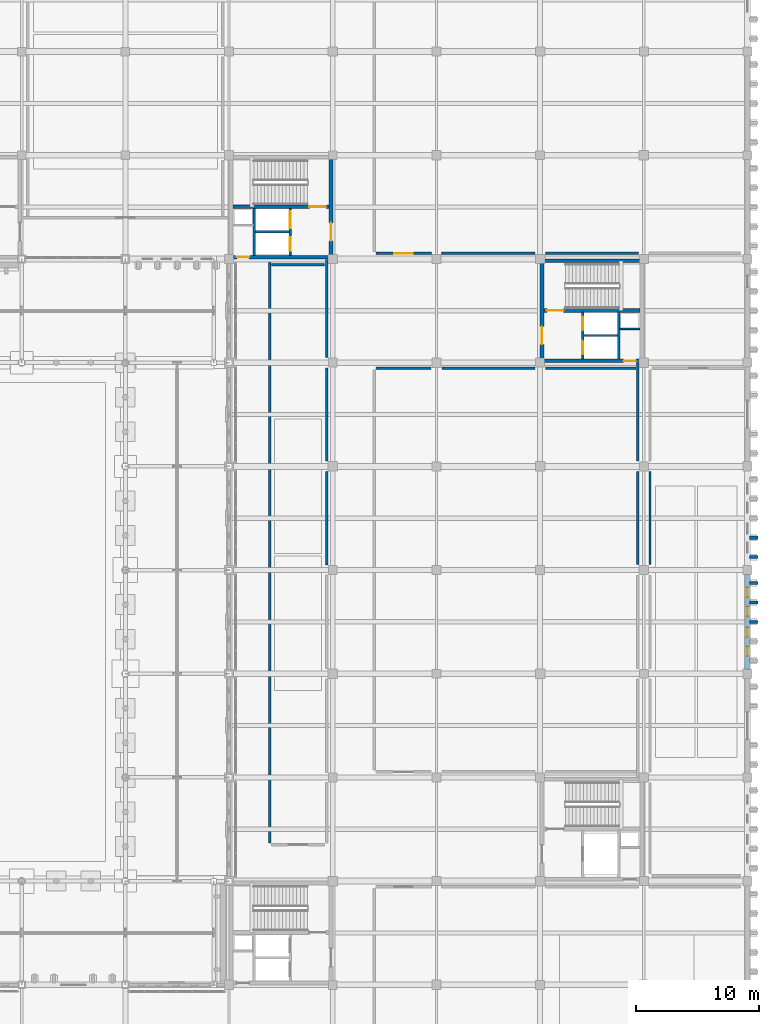
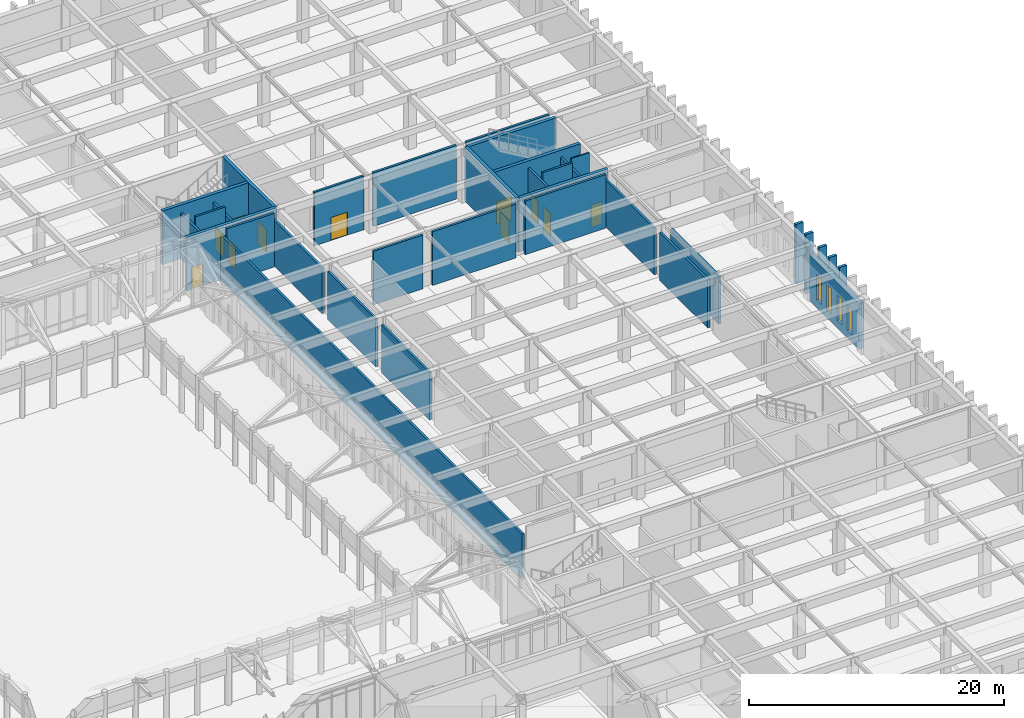
# One storey, part 126 of 143: 34 walls, 11 doors, 4 windows, 15 openings.
"""IFC4 building model written with IfcOpenShell, lengths in metres."""

from ifc_helpers import new_model, si_unit, direction, frame, frame_2d, origin, place, context, subcontext, project, spatial, rectangle, extrude, material, layer, layer_set, type_object, element, fill, save


model = new_model("IFC4")

# Units and contexts
model_context = context("Model", 3, precision=1e-05, world=origin(), true_north=direction((0.0, 1.0)))
body_context = subcontext(model_context, "Body", "Model", "MODEL_VIEW")
ifc_project = project(units=[si_unit("LENGTHUNIT", "METRE"), si_unit("AREAUNIT", "SQUARE_METRE"), si_unit("VOLUMEUNIT", "CUBIC_METRE"), si_unit("PLANEANGLEUNIT", "RADIAN"), si_unit("MASSUNIT", "GRAM", prefix="KILO")], contexts=[model_context])

# Site, building, storey
site_placement = place(None, origin())
site = spatial("IfcSite", under=ifc_project, at=site_placement, CompositionType="ELEMENT")
building_placement = place(site_placement, origin())
building = spatial("IfcBuilding", under=site, at=building_placement, Name="Kveldsbrygga Polytechnic", CompositionType="ELEMENT")
storey_placement = place(building_placement, origin())
storey = spatial("IfcBuildingStorey", under=building, at=storey_placement, Name="L00", CompositionType="ELEMENT", Elevation=0.0)

# Wall, openings, windows
ifc_material_1 = material(Name="Fired clay brick masonry M10", Category="masonry")
ifc_layer_1 = layer(ifc_material_1, 0.419921875)
ifc_layer_set_1 = layer_set([ifc_layer_1], Name="Fired clay brick masonry M10")
wall_type_1 = type_object("IfcWallType", Name="EW-BRICK-420", PredefinedType="SOLIDWALL", material=ifc_layer_set_1)
wall_1_placement = place(storey_placement, frame((168.0, 50.760009765625, 0.0), z_axis=(0.0, 0.0, 1.0), x_axis=(0.0, 1.0, 0.0)))
wall_1 = element("IfcWall", 1, at=wall_1_placement, inside=storey, type_object=wall_type_1, Name="Exterior Brick Wall EW-L00-Y-20-06", PredefinedType="SOLIDWALL", context=body_context, shape_type="SweptSolid", body=[
    extrude(rectangle(XDim=7.695068359375, YDim=0.419921875, at=frame_2d((3.84765625, 0.0))), origin(), (0.0, 0.0, 1.0), 4.389892578125),
])
opening_1_placement = place(wall_1_placement, frame((1.08203125, 0.0, 0.75)))
opening_1 = element("IfcOpeningElement", 2, at=opening_1_placement, cuts=wall_1, Name="Opening W-06", PredefinedType="OPENING", context=body_context, shape_type="SweptSolid", body=[
    extrude(rectangle(XDim=0.760009765625, YDim=2.449951171875, at=frame_2d((0.3798828125, 1.22509765625))), frame((0.0, 0.219970703125, 0.0), z_axis=(0.0, -1.0, 0.0), x_axis=(1.0, 0.0, 0.0)), (0.0, 0.0, 1.0), 0.43994140625),
])
opening_2_placement = place(wall_1_placement, frame((2.62109375, 0.0, 0.75)))
opening_2 = element("IfcOpeningElement", 3, at=opening_2_placement, cuts=wall_1, Name="Opening W-06", PredefinedType="OPENING", context=body_context, shape_type="SweptSolid", body=[
    extrude(rectangle(XDim=0.760009765625, YDim=2.449951171875, at=frame_2d((0.3798828125, 1.22509765625))), frame((0.0, 0.219970703125, 0.0), z_axis=(0.0, -1.0, 0.0), x_axis=(1.0, 0.0, 0.0)), (0.0, 0.0, 1.0), 0.43994140625),
])
opening_3_placement = place(wall_1_placement, frame((4.31396484375, 0.0, 0.75)))
opening_3 = element("IfcOpeningElement", 4, at=opening_3_placement, cuts=wall_1, Name="Opening W-06", PredefinedType="OPENING", context=body_context, shape_type="SweptSolid", body=[
    extrude(rectangle(XDim=0.760009765625, YDim=2.449951171875, at=frame_2d((0.3798828125, 1.22509765625))), frame((0.0, 0.219970703125, 0.0), z_axis=(0.0, -1.0, 0.0), x_axis=(1.0, 0.0, 0.0)), (0.0, 0.0, 1.0), 0.43994140625),
])
opening_4_placement = place(wall_1_placement, frame((5.85302734375, 0.0, 0.75)))
opening_4 = element("IfcOpeningElement", 5, at=opening_4_placement, cuts=wall_1, Name="Opening W-06", PredefinedType="OPENING", context=body_context, shape_type="SweptSolid", body=[
    extrude(rectangle(XDim=0.760009765625, YDim=2.449951171875, at=frame_2d((0.3798828125, 1.22509765625))), frame((0.0, 0.219970703125, 0.0), z_axis=(0.0, -1.0, 0.0), x_axis=(1.0, 0.0, 0.0)), (0.0, 0.0, 1.0), 0.43994140625),
])
ifc_material_2 = material(Name="Insulated triple low-E glass", Category="glass")
window_type = type_object("IfcWindowType", Name="WN-LANC-076x245", PartitioningType="DOUBLE_PANEL_VERTICAL", PredefinedType="WINDOW", material=ifc_material_2)
window_1_placement = place(opening_1_placement, origin())
window_1 = element("IfcWindow", 6, at=window_1_placement, inside=storey, type_object=window_type, Name="Gothic Lancet Window WIN-L00-Y-20-06-1", OverallHeight=2.449951171875, OverallWidth=0.760009765625, PartitioningType="DOUBLE_PANEL_VERTICAL", PredefinedType="WINDOW", context=body_context, shape_type="SweptSolid", body=[
    extrude(rectangle(XDim=0.760009765625, YDim=2.449951171875, at=frame_2d((0.3798828125, 1.22509765625))), frame((0.0, 0.030029296875, 0.0), z_axis=(0.0, -1.0, 0.0), x_axis=(1.0, 0.0, 0.0)), (0.0, 0.0, 1.0), 0.06005859375),
])
fill(opening_1, window_1)
window_2_placement = place(opening_2_placement, origin())
window_2 = element("IfcWindow", 7, at=window_2_placement, inside=storey, type_object=window_type, Name="Gothic Lancet Window WIN-L00-Y-20-06-2", OverallHeight=2.449951171875, OverallWidth=0.760009765625, PartitioningType="DOUBLE_PANEL_VERTICAL", PredefinedType="WINDOW", context=body_context, shape_type="SweptSolid", body=[
    extrude(rectangle(XDim=0.760009765625, YDim=2.449951171875, at=frame_2d((0.3798828125, 1.22509765625))), frame((0.0, 0.030029296875, 0.0), z_axis=(0.0, -1.0, 0.0), x_axis=(1.0, 0.0, 0.0)), (0.0, 0.0, 1.0), 0.06005859375),
])
fill(opening_2, window_2)
window_3_placement = place(opening_3_placement, origin())
window_3 = element("IfcWindow", 8, at=window_3_placement, inside=storey, type_object=window_type, Name="Gothic Lancet Window WIN-L00-Y-20-06-3", OverallHeight=2.449951171875, OverallWidth=0.760009765625, PartitioningType="DOUBLE_PANEL_VERTICAL", PredefinedType="WINDOW", context=body_context, shape_type="SweptSolid", body=[
    extrude(rectangle(XDim=0.760009765625, YDim=2.449951171875, at=frame_2d((0.3798828125, 1.22509765625))), frame((0.0, 0.030029296875, 0.0), z_axis=(0.0, -1.0, 0.0), x_axis=(1.0, 0.0, 0.0)), (0.0, 0.0, 1.0), 0.06005859375),
])
fill(opening_3, window_3)
window_4_placement = place(opening_4_placement, origin())
window_4 = element("IfcWindow", 9, at=window_4_placement, inside=storey, type_object=window_type, Name="Gothic Lancet Window WIN-L00-Y-20-06-4", OverallHeight=2.449951171875, OverallWidth=0.760009765625, PartitioningType="DOUBLE_PANEL_VERTICAL", PredefinedType="WINDOW", context=body_context, shape_type="SweptSolid", body=[
    extrude(rectangle(XDim=0.760009765625, YDim=2.449951171875, at=frame_2d((0.3798828125, 1.22509765625))), frame((0.0, 0.030029296875, 0.0), z_axis=(0.0, -1.0, 0.0), x_axis=(1.0, 0.0, 0.0)), (0.0, 0.0, 1.0), 0.06005859375),
])
fill(opening_4, window_4)

# Walls
ifc_layer_2 = layer(ifc_material_1, 0.260009765625)
ifc_layer_set_2 = layer_set([ifc_layer_2], Name="Fired clay brick masonry M10")
wall_type_2 = type_object("IfcWallType", Name="EW-BUTT-260", PredefinedType="SOLIDWALL", material=ifc_layer_set_2)
for number, where, z_axis, x_axis, name in (
    (10, (168.1650390625, 54.60009765625, -0.25), (0.0, 0.0, 1.0), (1.0, 0.0, 0.0), "Gothic Brick Buttress Pier BUTT-L00-Y-20-06-3"),
    (11, (168.1650390625, 56.179931640625, -0.25), (0.0, 0.0, 1.0), (1.0, 0.0, 0.0), "Gothic Brick Buttress Pier BUTT-L00-Y-20-06-4"),
    (12, (168.1650390625, 57.75, -0.25), (0.0, 0.0, 1.0), (1.0, 0.0, 0.0), "Gothic Brick Buttress Pier BUTT-L00-Y-20-06-5"),
    (13, (168.1650390625, 59.85009765625, -0.25), (0.0, 0.0, 1.0), (1.0, 0.0, 0.0), "Gothic Brick Buttress Pier BUTT-L00-Y-20-07-1"),
    (14, (168.1650390625, 61.419921875, -0.25), (0.0, 0.0, 1.0), (1.0, 0.0, 0.0), "Gothic Brick Buttress Pier BUTT-L00-Y-20-07-2"),
):
    element("IfcWall", number, at=place(storey_placement, frame(where, z_axis=z_axis, x_axis=x_axis)), inside=storey, type_object=wall_type_2, Name=name, PredefinedType="SOLIDWALL", context=body_context, shape_type="SweptSolid", body=[
        extrude(rectangle(XDim=0.699951171875, YDim=0.260009765625, at=frame_2d((0.35009765625, 0.0))), origin(), (0.0, 0.0, 1.0), 5.68994140625),
    ])
ifc_layer_3 = layer(ifc_material_1, 0.199951171875)
ifc_layer_set_3 = layer_set([ifc_layer_3], Name="Fired clay brick masonry M10")
wall_type_3 = type_object("IfcWallType", Name="IW-LAB-200", PredefinedType="PARTITIONING", material=ifc_layer_set_3)
wall_2_placement = place(storey_placement, frame((137.89990234375, 75.14990234375, 0.0), z_axis=(0.0, 0.0, 1.0), x_axis=(1.0, 0.0, 0.0)))
element("IfcWall", 15, at=wall_2_placement, inside=storey, type_object=wall_type_3, Name="Partition Wall IW-SP-L00-LAB2A-N1", PredefinedType="PARTITIONING", context=body_context, shape_type="SweptSolid", body=[
    extrude(rectangle(XDim=4.465087890625, YDim=0.199951171875, at=frame_2d((2.232421875, 0.0))), origin(), (0.0, 0.0, 1.0), 5.139892578125),
])
wall_3_placement = place(storey_placement, frame((143.235107421875, 75.14990234375, 0.0), z_axis=(0.0, 0.0, 1.0), x_axis=(1.0, 0.0, 0.0)))
element("IfcWall", 16, at=wall_3_placement, inside=storey, type_object=wall_type_3, Name="Partition Wall IW-SP-L00-LAB2A-N2", PredefinedType="PARTITIONING", context=body_context, shape_type="SweptSolid", body=[
    extrude(rectangle(XDim=7.544921875, YDim=0.199951171875, at=frame_2d((3.7724609375, 0.0))), origin(), (0.0, 0.0, 1.0), 5.139892578125),
])
wall_4_placement = place(storey_placement, frame((151.6201171875, 75.14990234375, 0.0), z_axis=(0.0, 0.0, 1.0), x_axis=(1.0, 0.0, 0.0)))
element("IfcWall", 17, at=wall_4_placement, inside=storey, type_object=wall_type_3, Name="Partition Wall IW-SP-L00-LAB2A-N3", PredefinedType="PARTITIONING", context=body_context, shape_type="SweptSolid", body=[
    extrude(rectangle(XDim=7.329833984375, YDim=0.199951171875, at=frame_2d((3.6650390625, 0.0))), origin(), (0.0, 0.0, 1.0), 5.139892578125),
])
wall_5_placement = place(storey_placement, frame((159.10009765625, 59.235107421875, 0.0), z_axis=(0.0, 0.0, 1.0), x_axis=(0.0, 1.0, 0.0)))
element("IfcWall", 18, at=wall_5_placement, inside=storey, type_object=wall_type_3, Name="Partition Wall IW-SP-L00-LAB2A-E3", PredefinedType="PARTITIONING", context=body_context, shape_type="SweptSolid", body=[
    extrude(rectangle(XDim=7.544921875, YDim=0.199951171875, at=frame_2d((3.7724609375, 0.0))), origin(), (0.0, 0.0, 1.0), 4.580078125),
])
wall_6_placement = place(storey_placement, frame((159.10009765625, 67.6201171875, 0.0), z_axis=(0.0, 0.0, 1.0), x_axis=(0.0, 1.0, 0.0)))
element("IfcWall", 19, at=wall_6_placement, inside=storey, type_object=wall_type_3, Name="Partition Wall IW-SP-L00-LAB2A-E4", PredefinedType="PARTITIONING", context=body_context, shape_type="SweptSolid", body=[
    extrude(rectangle(XDim=7.949951171875, YDim=0.199951171875, at=frame_2d((3.97509765625, 0.0))), origin(), (0.0, 0.0, 1.0), 4.4599609375),
])
wall_7_placement = place(storey_placement, frame((160.10009765625, 59.235107421875, 0.0), z_axis=(0.0, 0.0, 1.0), x_axis=(0.0, 1.0, 0.0)))
element("IfcWall", 20, at=wall_7_placement, inside=storey, type_object=wall_type_3, Name="Partition Wall IW-SP-L00-LAB2-W4", PredefinedType="PARTITIONING", context=body_context, shape_type="SweptSolid", body=[
    extrude(rectangle(XDim=7.544921875, YDim=0.199951171875, at=frame_2d((3.7724609375, 0.0))), origin(), (0.0, 0.0, 1.0), 4.590087890625),
])
wall_8_placement = place(storey_placement, frame((129.449951171875, 83.550048828125, 0.0), z_axis=(0.0, 0.0, 1.0), x_axis=(1.0, 0.0, 0.0)))
element("IfcWall", 21, at=wall_8_placement, inside=storey, type_object=wall_type_3, Name="Partition Wall IW-SP-L00-LAB3-N1", PredefinedType="PARTITIONING", context=body_context, shape_type="SweptSolid", body=[
    extrude(rectangle(XDim=4.300048828125, YDim=0.199951171875, at=frame_2d((2.14990234375, 0.0))), origin(), (0.0, 0.0, 1.0), 5.139892578125),
])
wall_9_placement = place(storey_placement, frame((129.300048828125, 36.699951171875, 0.0), z_axis=(0.0, 0.0, 1.0), x_axis=(0.0, 1.0, 0.0)))
element("IfcWall", 22, at=wall_9_placement, inside=storey, type_object=wall_type_3, Name="Partition Wall IW-SP-L00-LAB3-W1", PredefinedType="PARTITIONING", context=body_context, shape_type="SweptSolid", body=[
    extrude(rectangle(XDim=47.27001953125, YDim=0.199951171875, at=frame_2d((23.635009765625, 0.0))), origin(), (0.0, 0.0, 1.0), 4.360107421875),
])
wall_10_placement = place(storey_placement, frame((133.89990234375, 59.219970703125, 0.0), z_axis=(0.0, 0.0, 1.0), x_axis=(0.0, 1.0, 0.0)))
element("IfcWall", 23, at=wall_10_placement, inside=storey, type_object=wall_type_3, Name="Partition Wall IW-SP-L00-LAB3-E4", PredefinedType="PARTITIONING", context=body_context, shape_type="SweptSolid", body=[
    extrude(rectangle(XDim=7.544921875, YDim=0.199951171875, at=frame_2d((3.7724609375, 0.0))), origin(), (0.0, 0.0, 1.0), 4.590087890625),
])
wall_11_placement = place(storey_placement, frame((133.89990234375, 67.635009765625, 0.0), z_axis=(0.0, 0.0, 1.0), x_axis=(0.0, 1.0, 0.0)))
element("IfcWall", 24, at=wall_11_placement, inside=storey, type_object=wall_type_3, Name="Partition Wall IW-SP-L00-LAB3-E5", PredefinedType="PARTITIONING", context=body_context, shape_type="SweptSolid", body=[
    extrude(rectangle(XDim=7.544921875, YDim=0.199951171875, at=frame_2d((3.7724609375, 0.0))), origin(), (0.0, 0.0, 1.0), 4.580078125),
])
wall_12_placement = place(storey_placement, frame((133.89990234375, 76.02001953125, 0.0), z_axis=(0.0, 0.0, 1.0), x_axis=(0.0, 1.0, 0.0)))
element("IfcWall", 25, at=wall_12_placement, inside=storey, type_object=wall_type_3, Name="Partition Wall IW-SP-L00-LAB3-E6", PredefinedType="PARTITIONING", context=body_context, shape_type="SweptSolid", body=[
    extrude(rectangle(XDim=7.949951171875, YDim=0.199951171875, at=frame_2d((3.97509765625, 0.0))), origin(), (0.0, 0.0, 1.0), 4.360107421875),
])

# Wall, opening, door
wall_13_placement = place(storey_placement, frame((137.89990234375, 84.449951171875, 0.0), z_axis=(0.0, 0.0, 1.0), x_axis=(1.0, 0.0, 0.0)))
wall_13 = element("IfcWall", 26, at=wall_13_placement, inside=storey, type_object=wall_type_3, Name="Partition Wall IW-SP-L00-LAB4-S1", PredefinedType="PARTITIONING", context=body_context, shape_type="SweptSolid", body=[
    extrude(rectangle(XDim=4.47998046875, YDim=0.199951171875, at=frame_2d((2.239990234375, 0.0))), origin(), (0.0, 0.0, 1.0), 5.139892578125),
])
opening_5_placement = place(wall_13_placement, frame((1.489990234375, 0.0, 0.0)))
opening_5 = element("IfcOpeningElement", 27, at=opening_5_placement, cuts=wall_13, Name="Opening ID-L00-038", PredefinedType="OPENING", context=body_context, shape_type="SweptSolid", body=[
    extrude(rectangle(XDim=1.5, YDim=2.199951171875, at=frame_2d((0.75, 1.10009765625))), frame((0.0, 0.10986328125, 0.0), z_axis=(0.0, -1.0, 0.0), x_axis=(1.0, 0.0, 0.0)), (0.0, 0.0, 1.0), 0.219970703125),
])
ifc_material_3 = material(Name="Acoustic oak timber", Category="wood")
door_type_1 = type_object("IfcDoorType", Name="ID-LAB-150x220", OperationType="DOUBLE_DOOR_SINGLE_SWING", PredefinedType="DOOR", material=ifc_material_3)
door_1_placement = place(opening_5_placement, origin())
door_1 = element("IfcDoor", 28, at=door_1_placement, inside=storey, type_object=door_type_1, Name="Interior Door ID-L00-038", OperationType="DOUBLE_DOOR_SINGLE_SWING", OverallHeight=2.199951171875, OverallWidth=1.5, PredefinedType="DOOR", context=body_context, shape_type="SweptSolid", body=[
    extrude(rectangle(XDim=1.5, YDim=2.199951171875, at=frame_2d((0.75, 1.10009765625))), frame((0.0, 0.02490234375, 0.0), z_axis=(0.0, -1.0, 0.0), x_axis=(1.0, 0.0, 0.0)), (0.0, 0.0, 1.0), 0.050048828125),
])
fill(opening_5, door_1)

# Walls
for number, where, z_axis, x_axis, name in (
    (29, (143.219970703125, 84.449951171875, 0.0), (0.0, 0.0, 1.0), (1.0, 0.0, 0.0), "Partition Wall IW-SP-L00-LAB4-S2"),
    (30, (151.635009765625, 84.449951171875, 0.0), (0.0, 0.0, 1.0), (1.0, 0.0, 0.0), "Partition Wall IW-SP-L00-LAB4-S3"),
):
    element("IfcWall", number, at=place(storey_placement, frame(where, z_axis=z_axis, x_axis=x_axis)), inside=storey, type_object=wall_type_3, Name=name, PredefinedType="PARTITIONING", context=body_context, shape_type="SweptSolid", body=[
        extrude(rectangle(XDim=7.544921875, YDim=0.199951171875, at=frame_2d((3.7724609375, 0.0))), origin(), (0.0, 0.0, 1.0), 5.139892578125),
    ])
ifc_material_4 = material(Name="Moisture-resistant masonry M10", Category="masonry")
ifc_layer_4 = layer(ifc_material_4, 0.1298828125)
ifc_layer_set_4 = layer_set([ifc_layer_4], Name="Moisture-resistant masonry M10")
wall_type_4 = type_object("IfcWallType", Name="IW-SAN-130", PredefinedType="PARTITIONING", material=ifc_layer_set_4)
wall_14_placement = place(storey_placement, frame((157.659912109375, 78.340087890625, 0.0), z_axis=(0.0, 0.0, 1.0), x_axis=(1.0, 0.0, 0.0)))
element("IfcWall", 31, at=wall_14_placement, inside=storey, type_object=wall_type_4, Name="Core AWC Divider C4-L00-W-RSR", PredefinedType="PARTITIONING", context=body_context, shape_type="SweptSolid", body=[
    extrude(rectangle(XDim=1.6201171875, YDim=0.1298828125, at=frame_2d((0.81005859375, 0.0))), origin(), (0.0, 0.0, 1.0), 5.139892578125),
])

# Wall, opening, door
ifc_material_5 = material(Name="Concrete C45/55", Category="concrete")
ifc_layer_5 = layer(ifc_material_5, 0.300048828125)
ifc_layer_set_5 = layer_set([ifc_layer_5], Name="Concrete C45/55")
wall_type_5 = type_object("IfcWallType", Name="WL-CORE-300", PredefinedType="SHEAR", material=ifc_layer_set_5)
wall_15_placement = place(storey_placement, frame((126.14990234375, 84.14990234375, 0.0), z_axis=(0.0, 0.0, 1.0), x_axis=(1.0, 0.0, 0.0)))
wall_15 = element("IfcWall", 32, at=wall_15_placement, inside=storey, type_object=wall_type_5, Name="Core C2 Shear Wall C2-L00-SW-S", PredefinedType="SHEAR", context=body_context, shape_type="SweptSolid", body=[
    extrude(rectangle(XDim=8.10009765625, YDim=0.300048828125, at=frame_2d((4.050048828125, 0.0))), origin(), (0.0, 0.0, 1.0), 5.139892578125),
])
opening_6_placement = place(wall_15_placement, frame((0.485107421875, 0.0, 0.0)))
opening_6 = element("IfcOpeningElement", 33, at=opening_6_placement, cuts=wall_15, Name="Opening ID-C2-L00-AWC", PredefinedType="OPENING", context=body_context, shape_type="SweptSolid", body=[
    extrude(rectangle(XDim=1.0, YDim=2.14990234375, at=frame_2d((0.5, 1.074951171875))), frame((0.0, 0.16015625, 0.0), z_axis=(0.0, -1.0, 0.0), x_axis=(1.0, 0.0, 0.0)), (0.0, 0.0, 1.0), 0.320068359375),
])
door_type_2 = type_object("IfcDoorType", Name="ID-AWC-100x215", OperationType="NOTDEFINED", PredefinedType="DOOR", material=ifc_material_3)
door_2_placement = place(opening_6_placement, origin())
door_2 = element("IfcDoor", 34, at=door_2_placement, inside=storey, type_object=door_type_2, Name="Accessible WC Door ID-C2-L00-AWC", OperationType="SINGLE_SWING_RIGHT", OverallHeight=2.14990234375, OverallWidth=1.0, PredefinedType="DOOR", context=body_context, shape_type="SweptSolid", body=[
    extrude(rectangle(XDim=1.0, YDim=2.14990234375, at=frame_2d((0.5, 1.074951171875))), frame((0.0, 0.02490234375, 0.0), z_axis=(0.0, -1.0, 0.0), x_axis=(1.0, 0.0, 0.0)), (0.0, 0.0, 1.0), 0.050048828125),
])
fill(opening_6, door_2)

wall_16_placement = place(storey_placement, frame((134.25, 84.14990234375, 0.0), z_axis=(0.0, 0.0, 1.0), x_axis=(0.0, 1.0, 0.0)))
wall_16 = element("IfcWall", 35, at=wall_16_placement, inside=storey, type_object=wall_type_5, Name="Core C2 Shear Wall C2-L00-SW-E", PredefinedType="SHEAR", context=body_context, shape_type="SweptSolid", body=[
    extrude(rectangle(XDim=8.10009765625, YDim=0.300048828125, at=frame_2d((4.050048828125, 0.0))), origin(), (0.0, 0.0, 1.0), 5.139892578125),
])
opening_7_placement = place(wall_16_placement, frame((1.324951171875, 0.0, 0.0)))
opening_7 = element("IfcOpeningElement", 36, at=opening_7_placement, cuts=wall_16, Name="Opening FD-C2-L00-LOB", PredefinedType="OPENING", context=body_context, shape_type="SweptSolid", body=[
    extrude(rectangle(XDim=1.449951171875, YDim=2.14990234375, at=frame_2d((0.72509765625, 1.074951171875))), frame((0.0, 0.16015625, 0.0), z_axis=(0.0, -1.0, 0.0), x_axis=(1.0, 0.0, 0.0)), (0.0, 0.0, 1.0), 0.320068359375),
])
ifc_material_6 = material(Name="Powder-coated galvanised steel", Category="steel")
door_type_3 = type_object("IfcDoorType", Name="ID-LOBBY-145x215", OperationType="DOUBLE_DOOR_SINGLE_SWING", PredefinedType="DOOR", material=ifc_material_6)
door_3_placement = place(opening_7_placement, origin())
door_3 = element("IfcDoor", 37, at=door_3_placement, inside=storey, type_object=door_type_3, Name="Core Lobby Fire Door FD-C2-L00-LOB", OperationType="DOUBLE_DOOR_SINGLE_SWING", OverallHeight=2.14990234375, OverallWidth=1.449951171875, PredefinedType="DOOR", context=body_context, shape_type="SweptSolid", body=[
    extrude(rectangle(XDim=1.449951171875, YDim=2.14990234375, at=frame_2d((0.72509765625, 1.074951171875))), frame((0.0, 0.02490234375, 0.0), z_axis=(0.0, -1.0, 0.0), x_axis=(1.0, 0.0, 0.0)), (0.0, 0.0, 1.0), 0.050048828125),
])
fill(opening_7, door_3)

wall_17_placement = place(storey_placement, frame((126.300048828125, 88.22998046875, 0.0), z_axis=(0.0, 0.0, 1.0), x_axis=(1.0, 0.0, 0.0)))
wall_17 = element("IfcWall", 38, at=wall_17_placement, inside=storey, type_object=wall_type_5, Name="Core C2 Shear Wall C2-L00-W-DIV", PredefinedType="SHEAR", context=body_context, shape_type="SweptSolid", body=[
    extrude(rectangle(XDim=7.800048828125, YDim=0.300048828125, at=frame_2d((3.89990234375, 0.0))), origin(), (0.0, 0.0, 1.0), 5.139892578125),
])
opening_8_placement = place(wall_17_placement, frame((6.199951171875, 0.0, 0.0)))
opening_8 = element("IfcOpeningElement", 39, at=opening_8_placement, cuts=wall_17, Name="Opening FD-C2-L00-ST", PredefinedType="OPENING", context=body_context, shape_type="SweptSolid", body=[
    extrude(rectangle(XDim=1.35009765625, YDim=2.14990234375, at=frame_2d((0.675048828125, 1.074951171875))), frame((0.0, 0.16015625, 0.0), z_axis=(0.0, -1.0, 0.0), x_axis=(1.0, 0.0, 0.0)), (0.0, 0.0, 1.0), 0.320068359375),
])
door_type_4 = type_object("IfcDoorType", Name="ID-STAIR-135x215", OperationType="NOTDEFINED", PredefinedType="DOOR", material=ifc_material_6)
door_4_placement = place(opening_8_placement, origin())
door_4 = element("IfcDoor", 40, at=door_4_placement, inside=storey, type_object=door_type_4, Name="Stair Fire Door FD-C2-L00-ST", OperationType="SINGLE_SWING_LEFT", OverallHeight=2.14990234375, OverallWidth=1.35009765625, PredefinedType="DOOR", context=body_context, shape_type="SweptSolid", body=[
    extrude(rectangle(XDim=1.35009765625, YDim=2.14990234375, at=frame_2d((0.675048828125, 1.074951171875))), frame((0.0, 0.02490234375, 0.0), z_axis=(0.0, -1.0, 0.0), x_axis=(1.0, 0.0, 0.0)), (0.0, 0.0, 1.0), 0.050048828125),
])
fill(opening_8, door_4)

wall_18_placement = place(storey_placement, frame((151.35009765625, 75.75, 0.0), z_axis=(0.0, 0.0, 1.0), x_axis=(1.0, 0.0, 0.0)))
wall_18 = element("IfcWall", 41, at=wall_18_placement, inside=storey, type_object=wall_type_5, Name="Core C4 Shear Wall C4-L00-SW-S", PredefinedType="SHEAR", context=body_context, shape_type="SweptSolid", body=[
    extrude(rectangle(XDim=8.099853515625, YDim=0.300048828125, at=frame_2d((4.0498046875, 0.0))), origin(), (0.0, 0.0, 1.0), 5.139892578125),
])
opening_9_placement = place(wall_18_placement, frame((6.614990234375, 0.0, 0.0)))
opening_9 = element("IfcOpeningElement", 42, at=opening_9_placement, cuts=wall_18, Name="Opening ID-C4-L00-AWC", PredefinedType="OPENING", context=body_context, shape_type="SweptSolid", body=[
    extrude(rectangle(XDim=1.0, YDim=2.14990234375, at=frame_2d((0.5, 1.074951171875))), frame((0.0, 0.16015625, 0.0), z_axis=(0.0, -1.0, 0.0), x_axis=(1.0, 0.0, 0.0)), (0.0, 0.0, 1.0), 0.320068359375),
])
door_5_placement = place(opening_9_placement, origin())
door_5 = element("IfcDoor", 43, at=door_5_placement, inside=storey, type_object=door_type_2, Name="Accessible WC Door ID-C4-L00-AWC", OperationType="SINGLE_SWING_RIGHT", OverallHeight=2.14990234375, OverallWidth=1.0, PredefinedType="DOOR", context=body_context, shape_type="SweptSolid", body=[
    extrude(rectangle(XDim=1.0, YDim=2.14990234375, at=frame_2d((0.5, 1.074951171875))), frame((0.0, 0.02490234375, 0.0), z_axis=(0.0, -1.0, 0.0), x_axis=(1.0, 0.0, 0.0)), (0.0, 0.0, 1.0), 0.050048828125),
])
fill(opening_9, door_5)

# Wall
wall_19_placement = place(storey_placement, frame((151.35009765625, 83.85009765625, 0.0), z_axis=(0.0, 0.0, 1.0), x_axis=(1.0, 0.0, 0.0)))
element("IfcWall", 44, at=wall_19_placement, inside=storey, type_object=wall_type_5, Name="Core C4 Shear Wall C4-L00-SW-N", PredefinedType="SHEAR", context=body_context, shape_type="SweptSolid", body=[
    extrude(rectangle(XDim=8.099853515625, YDim=0.300048828125, at=frame_2d((4.0498046875, 0.0))), origin(), (0.0, 0.0, 1.0), 5.139892578125),
])

# Wall, opening, door
wall_20_placement = place(storey_placement, frame((151.35009765625, 75.75, 0.0), z_axis=(0.0, 0.0, 1.0), x_axis=(0.0, 1.0, 0.0)))
wall_20 = element("IfcWall", 45, at=wall_20_placement, inside=storey, type_object=wall_type_5, Name="Core C4 Shear Wall C4-L00-SW-W", PredefinedType="SHEAR", context=body_context, shape_type="SweptSolid", body=[
    extrude(rectangle(XDim=8.10009765625, YDim=0.300048828125, at=frame_2d((4.050048828125, 0.0))), origin(), (0.0, 0.0, 1.0), 5.139892578125),
])
opening_10_placement = place(wall_20_placement, frame((1.324951171875, 0.0, 0.0)))
opening_10 = element("IfcOpeningElement", 46, at=opening_10_placement, cuts=wall_20, Name="Opening FD-C4-L00-LOB", PredefinedType="OPENING", context=body_context, shape_type="SweptSolid", body=[
    extrude(rectangle(XDim=1.449951171875, YDim=2.14990234375, at=frame_2d((0.72509765625, 1.074951171875))), frame((0.0, 0.16015625, 0.0), z_axis=(0.0, -1.0, 0.0), x_axis=(1.0, 0.0, 0.0)), (0.0, 0.0, 1.0), 0.320068359375),
])
door_6_placement = place(opening_10_placement, origin())
door_6 = element("IfcDoor", 47, at=door_6_placement, inside=storey, type_object=door_type_3, Name="Core Lobby Fire Door FD-C4-L00-LOB", OperationType="DOUBLE_DOOR_SINGLE_SWING", OverallHeight=2.14990234375, OverallWidth=1.449951171875, PredefinedType="DOOR", context=body_context, shape_type="SweptSolid", body=[
    extrude(rectangle(XDim=1.449951171875, YDim=2.14990234375, at=frame_2d((0.72509765625, 1.074951171875))), frame((0.0, 0.02490234375, 0.0), z_axis=(0.0, -1.0, 0.0), x_axis=(1.0, 0.0, 0.0)), (0.0, 0.0, 1.0), 0.050048828125),
])
fill(opening_10, door_6)

wall_21_placement = place(storey_placement, frame((151.5, 79.830078125, 0.0), z_axis=(0.0, 0.0, 1.0), x_axis=(1.0, 0.0, 0.0)))
wall_21 = element("IfcWall", 48, at=wall_21_placement, inside=storey, type_object=wall_type_5, Name="Core C4 Shear Wall C4-L00-W-DIV", PredefinedType="SHEAR", context=body_context, shape_type="SweptSolid", body=[
    extrude(rectangle(XDim=7.800048828125, YDim=0.300048828125, at=frame_2d((3.89990234375, 0.0))), origin(), (0.0, 0.0, 1.0), 5.139892578125),
])
opening_11_placement = place(wall_21_placement, frame((0.25, 0.0, 0.0)))
opening_11 = element("IfcOpeningElement", 49, at=opening_11_placement, cuts=wall_21, Name="Opening FD-C4-L00-ST", PredefinedType="OPENING", context=body_context, shape_type="SweptSolid", body=[
    extrude(rectangle(XDim=1.35009765625, YDim=2.14990234375, at=frame_2d((0.675048828125, 1.074951171875))), frame((0.0, 0.16015625, 0.0), z_axis=(0.0, -1.0, 0.0), x_axis=(1.0, 0.0, 0.0)), (0.0, 0.0, 1.0), 0.320068359375),
])
door_7_placement = place(opening_11_placement, origin())
door_7 = element("IfcDoor", 50, at=door_7_placement, inside=storey, type_object=door_type_4, Name="Stair Fire Door FD-C4-L00-ST", OperationType="SINGLE_SWING_LEFT", OverallHeight=2.14990234375, OverallWidth=1.35009765625, PredefinedType="DOOR", context=body_context, shape_type="SweptSolid", body=[
    extrude(rectangle(XDim=1.35009765625, YDim=2.14990234375, at=frame_2d((0.675048828125, 1.074951171875))), frame((0.0, 0.02490234375, 0.0), z_axis=(0.0, -1.0, 0.0), x_axis=(1.0, 0.0, 0.0)), (0.0, 0.0, 1.0), 0.050048828125),
])
fill(opening_11, door_7)

# Walls
ifc_material_7 = material(Name="Concrete C35/45", Category="concrete")
ifc_layer_6 = layer(ifc_material_7, 0.179931640625)
ifc_layer_set_6 = layer_set([ifc_layer_6], Name="Concrete C35/45")
wall_type_6 = type_object("IfcWallType", Name="WL-SHFT-180", PredefinedType="SHEAR", material=ifc_layer_set_6)
wall_22_placement = place(storey_placement, frame((128.14990234375, 86.199951171875, 0.0), z_axis=(0.0, 0.0, 1.0), x_axis=(1.0, 0.0, 0.0)))
element("IfcWall", 51, at=wall_22_placement, inside=storey, type_object=wall_type_6, Name="Lift Divider Wall C2-L00-W-LMID", PredefinedType="SHEAR", context=body_context, shape_type="SweptSolid", body=[
    extrude(rectangle(XDim=2.7001953125, YDim=0.179931640625, at=frame_2d((1.35009765625, 0.0))), origin(), (0.0, 0.0, 1.0), 5.139892578125),
])
wall_23_placement = place(storey_placement, frame((154.75, 77.800048828125, 0.0), z_axis=(0.0, 0.0, 1.0), x_axis=(1.0, 0.0, 0.0)))
element("IfcWall", 52, at=wall_23_placement, inside=storey, type_object=wall_type_6, Name="Lift Divider Wall C4-L00-W-LMID", PredefinedType="SHEAR", context=body_context, shape_type="SweptSolid", body=[
    extrude(rectangle(XDim=2.699951171875, YDim=0.179931640625, at=frame_2d((1.35009765625, 0.0))), origin(), (0.0, 0.0, 1.0), 5.139892578125),
])

# Wall, openings, doors
ifc_layer_7 = layer(ifc_material_7, 0.199951171875)
ifc_layer_set_7 = layer_set([ifc_layer_7], Name="Concrete C35/45")
wall_type_7 = type_object("IfcWallType", Name="WL-SHFT-200", PredefinedType="SHEAR", material=ifc_layer_set_7)
wall_24_placement = place(storey_placement, frame((130.9599609375, 84.300048828125, 0.0), z_axis=(0.0, 0.0, 1.0), x_axis=(0.0, 1.0, 0.0)))
wall_24 = element("IfcWall", 53, at=wall_24_placement, inside=storey, type_object=wall_type_7, Name="Lift Front Wall C2-L00-W-LFR", PredefinedType="SHEAR", context=body_context, shape_type="SweptSolid", body=[
    extrude(rectangle(XDim=3.800048828125, YDim=0.199951171875, at=frame_2d((1.89990234375, 0.0))), origin(), (0.0, 0.0, 1.0), 4.360107421875),
])
opening_12_placement = place(wall_24_placement, frame((0.375, 0.0, 0.0)))
opening_12 = element("IfcOpeningElement", 54, at=opening_12_placement, cuts=wall_24, Name="Opening LD-LP-2", PredefinedType="OPENING", context=body_context, shape_type="SweptSolid", body=[
    extrude(rectangle(XDim=1.10009765625, YDim=2.14990234375, at=frame_2d((0.550048828125, 1.074951171875))), frame((0.0, 0.10986328125, 0.0), z_axis=(0.0, -1.0, 0.0), x_axis=(1.0, 0.0, 0.0)), (0.0, 0.0, 1.0), 0.219970703125),
])
opening_13_placement = place(wall_24_placement, frame((2.175048828125, 0.0, 0.0)))
opening_13 = element("IfcOpeningElement", 55, at=opening_13_placement, cuts=wall_24, Name="Opening LD-GL-1", PredefinedType="OPENING", context=body_context, shape_type="SweptSolid", body=[
    extrude(rectangle(XDim=1.39990234375, YDim=2.199951171875, at=frame_2d((0.699951171875, 1.10009765625))), frame((0.0, 0.10986328125, 0.0), z_axis=(0.0, -1.0, 0.0), x_axis=(1.0, 0.0, 0.0)), (0.0, 0.0, 1.0), 0.219970703125),
])
ifc_material_8 = material(Name="Brushed stainless steel EN 1.4401", Category="steel")
door_type_5 = type_object("IfcDoorType", Name="LD-GDS-140x220", OperationType="SLIDING_TO_LEFT", PredefinedType="DOOR", material=ifc_material_8)
door_8_placement = place(opening_13_placement, origin())
door_8 = element("IfcDoor", 56, at=door_8_placement, inside=storey, type_object=door_type_5, Name="Lift Landing Sliding Door LD-GL-1-L00", OperationType="SLIDING_TO_LEFT", OverallHeight=2.199951171875, OverallWidth=1.39990234375, PredefinedType="DOOR", context=body_context, shape_type="SweptSolid", body=[
    extrude(rectangle(XDim=1.39990234375, YDim=2.199951171875, at=frame_2d((0.699951171875, 1.10009765625))), frame((0.0, 0.02490234375, 0.0), z_axis=(0.0, -1.0, 0.0), x_axis=(1.0, 0.0, 0.0)), (0.0, 0.0, 1.0), 0.050048828125),
])
fill(opening_13, door_8)
door_type_6 = type_object("IfcDoorType", Name="LD-PAX-110x215", OperationType="SLIDING_TO_LEFT", PredefinedType="DOOR", material=ifc_material_8)
door_9_placement = place(opening_12_placement, origin())
door_9 = element("IfcDoor", 57, at=door_9_placement, inside=storey, type_object=door_type_6, Name="Lift Landing Sliding Door LD-LP-2-L00", OperationType="SLIDING_TO_LEFT", OverallHeight=2.14990234375, OverallWidth=1.10009765625, PredefinedType="DOOR", context=body_context, shape_type="SweptSolid", body=[
    extrude(rectangle(XDim=1.10009765625, YDim=2.14990234375, at=frame_2d((0.550048828125, 1.074951171875))), frame((0.0, 0.02490234375, 0.0), z_axis=(0.0, -1.0, 0.0), x_axis=(1.0, 0.0, 0.0)), (0.0, 0.0, 1.0), 0.050048828125),
])
fill(opening_12, door_9)

# Wall
wall_25_placement = place(storey_placement, frame((128.0400390625, 84.300048828125, 0.0), z_axis=(0.0, 0.0, 1.0), x_axis=(0.0, 1.0, 0.0)))
element("IfcWall", 58, at=wall_25_placement, inside=storey, type_object=wall_type_7, Name="Lift Back Wall C2-L00-W-LBK", PredefinedType="SHEAR", context=body_context, shape_type="SweptSolid", body=[
    extrude(rectangle(XDim=3.800048828125, YDim=0.199951171875, at=frame_2d((1.89990234375, 0.0))), origin(), (0.0, 0.0, 1.0), 4.360107421875),
])

# Wall, openings, doors
wall_26_placement = place(storey_placement, frame((154.639892578125, 75.89990234375, 0.0), z_axis=(0.0, 0.0, 1.0), x_axis=(0.0, 1.0, 0.0)))
wall_26 = element("IfcWall", 59, at=wall_26_placement, inside=storey, type_object=wall_type_7, Name="Lift Front Wall C4-L00-W-LFR", PredefinedType="SHEAR", context=body_context, shape_type="SweptSolid", body=[
    extrude(rectangle(XDim=3.800048828125, YDim=0.199951171875, at=frame_2d((1.89990234375, 0.0))), origin(), (0.0, 0.0, 1.0), 4.4599609375),
])
opening_14_placement = place(wall_26_placement, frame((0.375, 0.0, 0.0)))
opening_14 = element("IfcOpeningElement", 60, at=opening_14_placement, cuts=wall_26, Name="Opening LD-FL-2", PredefinedType="OPENING", context=body_context, shape_type="SweptSolid", body=[
    extrude(rectangle(XDim=1.10009765625, YDim=2.14990234375, at=frame_2d((0.550048828125, 1.074951171875))), frame((0.0, 0.10986328125, 0.0), z_axis=(0.0, -1.0, 0.0), x_axis=(1.0, 0.0, 0.0)), (0.0, 0.0, 1.0), 0.219970703125),
])
opening_15_placement = place(wall_26_placement, frame((2.324951171875, 0.0, 0.0)))
opening_15 = element("IfcOpeningElement", 61, at=opening_15_placement, cuts=wall_26, Name="Opening LD-LP-4", PredefinedType="OPENING", context=body_context, shape_type="SweptSolid", body=[
    extrude(rectangle(XDim=1.10009765625, YDim=2.14990234375, at=frame_2d((0.550048828125, 1.074951171875))), frame((0.0, 0.10986328125, 0.0), z_axis=(0.0, -1.0, 0.0), x_axis=(1.0, 0.0, 0.0)), (0.0, 0.0, 1.0), 0.219970703125),
])
door_10_placement = place(opening_14_placement, origin())
door_10 = element("IfcDoor", 62, at=door_10_placement, inside=storey, type_object=door_type_6, Name="Lift Landing Sliding Door LD-FL-2-L00", OperationType="SLIDING_TO_LEFT", OverallHeight=2.14990234375, OverallWidth=1.10009765625, PredefinedType="DOOR", context=body_context, shape_type="SweptSolid", body=[
    extrude(rectangle(XDim=1.10009765625, YDim=2.14990234375, at=frame_2d((0.550048828125, 1.074951171875))), frame((0.0, 0.02490234375, 0.0), z_axis=(0.0, -1.0, 0.0), x_axis=(1.0, 0.0, 0.0)), (0.0, 0.0, 1.0), 0.050048828125),
])
fill(opening_14, door_10)
door_11_placement = place(opening_15_placement, origin())
door_11 = element("IfcDoor", 63, at=door_11_placement, inside=storey, type_object=door_type_6, Name="Lift Landing Sliding Door LD-LP-4-L00", OperationType="SLIDING_TO_LEFT", OverallHeight=2.14990234375, OverallWidth=1.10009765625, PredefinedType="DOOR", context=body_context, shape_type="SweptSolid", body=[
    extrude(rectangle(XDim=1.10009765625, YDim=2.14990234375, at=frame_2d((0.550048828125, 1.074951171875))), frame((0.0, 0.02490234375, 0.0), z_axis=(0.0, -1.0, 0.0), x_axis=(1.0, 0.0, 0.0)), (0.0, 0.0, 1.0), 0.050048828125),
])
fill(opening_15, door_11)

# Wall
wall_27_placement = place(storey_placement, frame((157.56005859375, 75.89990234375, 0.0), z_axis=(0.0, 0.0, 1.0), x_axis=(0.0, 1.0, 0.0)))
element("IfcWall", 64, at=wall_27_placement, inside=storey, type_object=wall_type_7, Name="Lift Back Wall C4-L00-W-LBK", PredefinedType="SHEAR", context=body_context, shape_type="SweptSolid", body=[
    extrude(rectangle(XDim=3.800048828125, YDim=0.199951171875, at=frame_2d((1.89990234375, 0.0))), origin(), (0.0, 0.0, 1.0), 4.4599609375),
])

save(model, "model.ifc")
